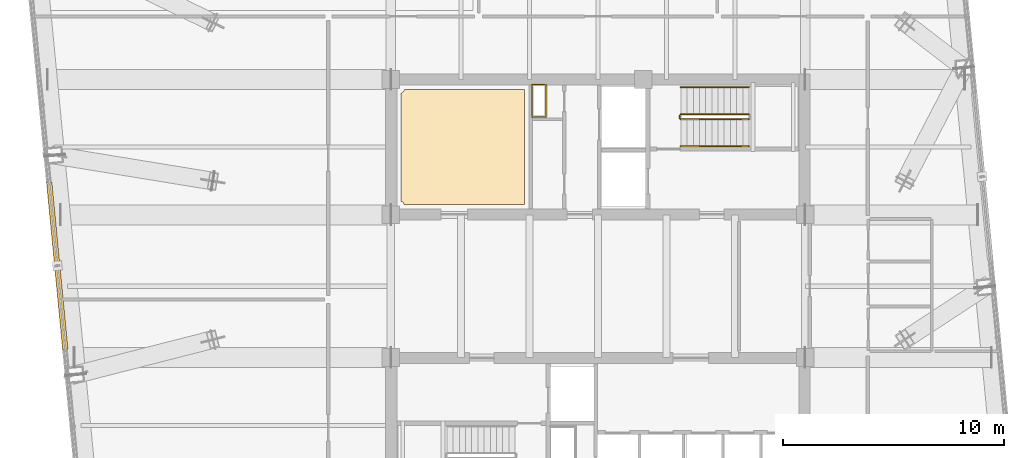
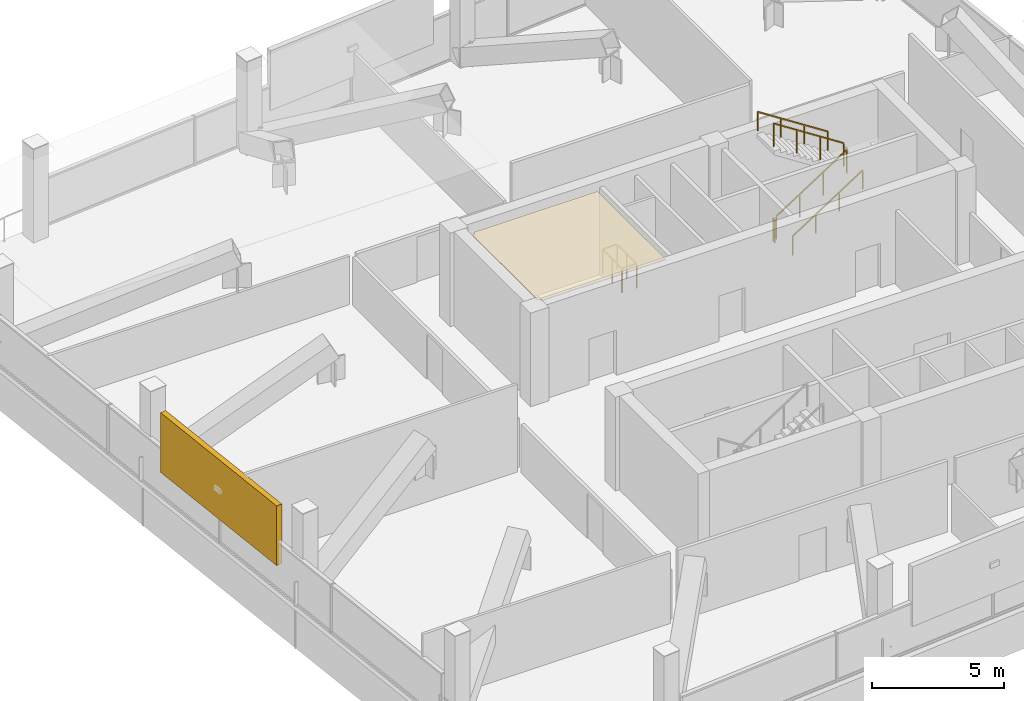
# One storey, part 20 of 22: 6 railings, 1 covering, 1 shading device.
"""IFC4 building model written with IfcOpenShell, lengths in metres."""

from ifc_helpers import new_model, si_unit, direction, frame, origin, origin_2d, place, context, subcontext, project, spatial, polyline, rectangle, outline, extrude, material, layer, layer_set, type_object, element, save


model = new_model("IFC4")

# Units and contexts
model_context = context("Model", 3, precision=1e-05, world=origin(), true_north=direction((0.0, 1.0)))
body_context = subcontext(model_context, "Body", "Model", "MODEL_VIEW")
ifc_project = project(units=[si_unit("LENGTHUNIT", "METRE"), si_unit("AREAUNIT", "SQUARE_METRE"), si_unit("VOLUMEUNIT", "CUBIC_METRE"), si_unit("PLANEANGLEUNIT", "RADIAN"), si_unit("MASSUNIT", "GRAM", prefix="KILO")], contexts=[model_context])

# Site, building, storey
site_placement = place(None, origin())
site = spatial("IfcSite", under=ifc_project, at=site_placement, CompositionType="ELEMENT")
building_placement = place(site_placement, origin())
building = spatial("IfcBuilding", under=site, at=building_placement, Name="Qhalaya Broadcast Tower", CompositionType="ELEMENT")
storey_placement = place(building_placement, frame((0.0, 0.0, 183.60009765625)))
storey = spatial("IfcBuildingStorey", under=building, at=storey_placement, Name="L54", CompositionType="ELEMENT", Elevation=183.60009765625)

# Covering
ifc_material_1 = material(Name="Acoustic Mineral-Fibre Ceiling")
ifc_layer = layer(ifc_material_1, 0.0400390625, Name="Acoustic Mineral-Fibre Ceiling")
ifc_layer_set = layer_set([ifc_layer], Name="Acoustic Mineral-Fibre Ceiling")
covering_type = type_object("IfcCoveringType", Name="Acoustic Mineral-Fibre Suspended Ceiling CLG-01", PredefinedType="CEILING", material=ifc_layer_set)
covering_placement = place(storey_placement, frame((0.0, 0.0, 4.02978515625)))
element("IfcCovering", 1, at=covering_placement, inside=storey, type_object=covering_type, Name="L54 Acoustic Suspended Ceiling 01", PredefinedType="CEILING", context=body_context, shape_type="SweptSolid", body=[
    extrude(outline(polyline([(-8.89697265625, 9.338623046875), (-8.89990234375, 9.337890625), (-8.89990234375, 4.437255859375), (-8.89697265625, 4.436279296875), (-8.87841796875, 4.4296875), (-8.860595703125, 4.42138671875), (-8.843994140625, 4.411376953125), (-8.828125, 4.399658203125), (-8.813720703125, 4.386474609375), (-8.80029296875, 4.371826171875), (-8.788818359375, 4.356201171875), (-8.778564453125, 4.33935546875), (-8.770263671875, 4.321533203125), (-8.763671875, 4.302978515625), (-8.7626953125, 4.300048828125), (-3.330078125, 4.300048828125), (-3.330078125, 9.5), (-8.757568359375, 9.5), (-8.7587890625, 9.490966796875), (-8.763671875, 9.471923828125), (-8.770263671875, 9.45361328125), (-8.778564453125, 9.435791015625), (-8.788818359375, 9.4189453125), (-8.80029296875, 9.403076171875), (-8.813720703125, 9.388671875), (-8.828125, 9.37548828125), (-8.843994140625, 9.36376953125), (-8.860595703125, 9.353515625), (-8.87841796875, 9.34521484375), (-8.89697265625, 9.338623046875)])), origin(), (0.0, 0.0, 1.0), 0.0400390625),
])

# Railings
ifc_material_2 = material(Name="Powder-Coated Galvanised Steel", Category="steel")
railing_type_1 = type_object("IfcRailingType", Name="Stair Wall Handrail 900", PredefinedType="HANDRAIL", material=ifc_material_2)
railing_1_placement = place(storey_placement, frame((3.75, 6.929931640625, 0.18115234375)))
element("IfcRailing", 2, at=railing_1_placement, inside=storey, type_object=railing_type_1, Name="L54 ST-1 Stair Handrail 1", PredefinedType="HANDRAIL", context=body_context, shape_type="SweptSolid", body=[
    extrude(rectangle(XDim=0.048095703125, YDim=0.048095703125, at=origin_2d()), frame((0.0, 0.0, 0.8759765625), z_axis=(0.839488025565, 0.0, 0.543378187759), x_axis=(0.0, 1.0, 0.0)), (0.0, 0.0, 1.0), 3.6689453125),
    extrude(rectangle(XDim=0.0419921875, YDim=0.0419921875, at=origin_2d()), origin(), (0.0, 0.0, 1.0), 0.849853515625),
    extrude(rectangle(XDim=0.0419921875, YDim=0.0419921875, at=origin_2d()), frame((1.026611328125, 0.0, 0.66455078125)), (0.0, 0.0, 1.0), 0.849853515625),
    extrude(rectangle(XDim=0.0419921875, YDim=0.0419921875, at=origin_2d()), frame((2.053466796875, 0.0, 1.3291015625)), (0.0, 0.0, 1.0), 0.849853515625),
    extrude(rectangle(XDim=0.0419921875, YDim=0.0419921875, at=origin_2d()), frame((3.080078125, 0.0, 1.99365234375)), (0.0, 0.0, 1.0), 0.849853515625),
])
railing_2_placement = place(storey_placement, frame((6.830078125, 9.590087890625, 2.356201171875)))
element("IfcRailing", 3, at=railing_2_placement, inside=storey, type_object=railing_type_1, Name="L54 ST-1 Stair Handrail 2", PredefinedType="HANDRAIL", context=body_context, shape_type="SweptSolid", body=[
    extrude(rectangle(XDim=0.048095703125, YDim=0.048095703125, at=origin_2d()), frame((0.0, 0.0, 0.8759765625), z_axis=(-0.839488025565, 0.0, 0.543378187759), x_axis=(0.0, -1.0, 0.0)), (0.0, 0.0, 1.0), 3.6689453125),
    extrude(rectangle(XDim=0.0419921875, YDim=0.0419921875, at=origin_2d()), origin(), (0.0, 0.0, 1.0), 0.849853515625),
    extrude(rectangle(XDim=0.0419921875, YDim=0.0419921875, at=origin_2d()), frame((-1.026611328125, 0.0, 0.66455078125)), (0.0, 0.0, 1.0), 0.849853515625),
    extrude(rectangle(XDim=0.0419921875, YDim=0.0419921875, at=origin_2d()), frame((-2.053466796875, 0.0, 1.3291015625)), (0.0, 0.0, 1.0), 0.849853515625),
    extrude(rectangle(XDim=0.0419921875, YDim=0.0419921875, at=origin_2d()), frame((-3.080078125, 0.0, 1.99365234375)), (0.0, 0.0, 1.0), 0.849853515625),
])
railing_type_2 = type_object("IfcRailingType", Name="Stair Well & Landing Guardrail 1100", PredefinedType="GUARDRAIL", material=ifc_material_2)
railing_3_placement = place(storey_placement, frame((-2.340087890625, 8.239990234375, 0.0)))
element("IfcRailing", 4, at=railing_3_placement, inside=storey, type_object=railing_type_2, Name="L54 Service Riser Opening Safety Guard NRSR", PredefinedType="GUARDRAIL", context=body_context, shape_type="SweptSolid", body=[
    extrude(rectangle(XDim=0.048095703125, YDim=0.048095703125, at=origin_2d()), frame((0.0, 0.02880859375, 1.1259765625), z_axis=(0.0, 1.0, 0.0), x_axis=(-1.0, 0.0, 0.0)), (0.0, 0.0, 1.0), 1.42236328125),
    extrude(rectangle(XDim=0.048095703125, YDim=0.048095703125, at=origin_2d()), frame((-0.02880859375, 1.47998046875, 1.1259765625), z_axis=(-1.0, 0.0, 0.0), x_axis=(0.0, -1.0, 0.0)), (0.0, 0.0, 1.0), 0.582275390625),
    extrude(rectangle(XDim=0.048095703125, YDim=0.048095703125, at=origin_2d()), frame((-0.639892578125, 1.451171875, 1.1259765625), z_axis=(0.0, -1.0, 0.0), x_axis=(1.0, 0.0, 0.0)), (0.0, 0.0, 1.0), 1.42236328125),
    extrude(rectangle(XDim=0.048095703125, YDim=0.048095703125, at=origin_2d()), frame((-0.611083984375, 0.0, 1.1259765625), z_axis=(1.0, 0.0, 0.0), x_axis=(0.0, 1.0, 0.0)), (0.0, 0.0, 1.0), 0.582275390625),
    extrude(rectangle(XDim=0.0419921875, YDim=0.0419921875, at=origin_2d()), origin(), (0.0, 0.0, 1.0), 1.099853515625),
    extrude(rectangle(XDim=0.0419921875, YDim=0.0419921875, at=origin_2d()), frame((0.0, 0.739990234375, 0.0)), (0.0, 0.0, 1.0), 1.099853515625),
    extrude(rectangle(XDim=0.0419921875, YDim=0.0419921875, at=origin_2d()), frame((0.0, 1.47998046875, 0.0)), (0.0, 0.0, 1.0), 1.099853515625),
    extrude(rectangle(XDim=0.0419921875, YDim=0.0419921875, at=origin_2d()), frame((-0.639892578125, 1.47998046875, 0.0)), (0.0, 0.0, 1.0), 1.099853515625),
    extrude(rectangle(XDim=0.0419921875, YDim=0.0419921875, at=origin_2d()), frame((-0.639892578125, 0.739990234375, 0.0)), (0.0, 0.0, 1.0), 1.099853515625),
    extrude(rectangle(XDim=0.0419921875, YDim=0.0419921875, at=origin_2d()), frame((-0.639892578125, 0.0, 0.0)), (0.0, 0.0, 1.0), 1.099853515625),
])
railing_4_placement = place(storey_placement, frame((3.75, 8.14990234375, 0.18115234375)))
element("IfcRailing", 5, at=railing_4_placement, inside=storey, type_object=railing_type_2, Name="L54 ST-1 Stair Guard 1", PredefinedType="GUARDRAIL", context=body_context, shape_type="SweptSolid", body=[
    extrude(rectangle(XDim=0.048095703125, YDim=0.048095703125, at=origin_2d()), frame((0.0, 0.0, 1.076171875), z_axis=(0.839488025565, 0.0, 0.543378187759), x_axis=(0.0, 1.0, 0.0)), (0.0, 0.0, 1.0), 3.6689453125),
    extrude(rectangle(XDim=0.0419921875, YDim=0.0419921875, at=origin_2d()), origin(), (0.0, 0.0, 1.0), 1.050048828125),
    extrude(rectangle(XDim=0.0419921875, YDim=0.0419921875, at=origin_2d()), frame((1.026611328125, 0.0, 0.66455078125)), (0.0, 0.0, 1.0), 1.050048828125),
    extrude(rectangle(XDim=0.0419921875, YDim=0.0419921875, at=origin_2d()), frame((2.053466796875, 0.0, 1.3291015625)), (0.0, 0.0, 1.0), 1.050048828125),
    extrude(rectangle(XDim=0.0419921875, YDim=0.0419921875, at=origin_2d()), frame((3.080078125, 0.0, 1.99365234375)), (0.0, 0.0, 1.0), 1.050048828125),
])
railing_5_placement = place(storey_placement, frame((6.830078125, 8.3701171875, 2.356201171875)))
element("IfcRailing", 6, at=railing_5_placement, inside=storey, type_object=railing_type_2, Name="L54 ST-1 Stair Guard 3", PredefinedType="GUARDRAIL", context=body_context, shape_type="SweptSolid", body=[
    extrude(rectangle(XDim=0.048095703125, YDim=0.048095703125, at=origin_2d()), frame((0.0, 0.0, 1.076171875), z_axis=(-0.839488025565, 0.0, 0.543378187759), x_axis=(0.0, -1.0, 0.0)), (0.0, 0.0, 1.0), 3.6689453125),
    extrude(rectangle(XDim=0.0419921875, YDim=0.0419921875, at=origin_2d()), origin(), (0.0, 0.0, 1.0), 1.050048828125),
    extrude(rectangle(XDim=0.0419921875, YDim=0.0419921875, at=origin_2d()), frame((-1.026611328125, 0.0, 0.66455078125)), (0.0, 0.0, 1.0), 1.050048828125),
    extrude(rectangle(XDim=0.0419921875, YDim=0.0419921875, at=origin_2d()), frame((-2.053466796875, 0.0, 1.3291015625)), (0.0, 0.0, 1.0), 1.050048828125),
    extrude(rectangle(XDim=0.0419921875, YDim=0.0419921875, at=origin_2d()), frame((-3.080078125, 0.0, 1.99365234375)), (0.0, 0.0, 1.0), 1.050048828125),
])
railing_6_placement = place(storey_placement, frame((3.699951171875, 8.199951171875, 0.0)))
element("IfcRailing", 7, at=railing_6_placement, inside=storey, type_object=railing_type_2, Name="L54 ST-1 Stair Guard 4", PredefinedType="GUARDRAIL", context=body_context, shape_type="SweptSolid", body=[
    extrude(rectangle(XDim=0.048095703125, YDim=0.048095703125, at=origin_2d()), frame((0.0, 0.0, 1.076171875), z_axis=(0.0, 1.0, 0.0), x_axis=(-1.0, 0.0, 0.0)), (0.0, 0.0, 1.0), 0.1201171875),
    extrude(rectangle(XDim=0.0419921875, YDim=0.0419921875, at=origin_2d()), origin(), (0.0, 0.0, 1.0), 1.050048828125),
    extrude(rectangle(XDim=0.0419921875, YDim=0.0419921875, at=origin_2d()), frame((0.0, 0.1201171875, 0.0)), (0.0, 0.0, 1.0), 1.050048828125),
])

# Shading device
ifc_material_3 = material(Name="Fired Architectural Terracotta", Category="masonry")
shading_device_type = type_object("IfcShadingDeviceType", Name="Terracotta Baguette Solar Screen Assembly TBS-01", PredefinedType="USERDEFINED", material=ifc_material_3)
shading_device_placement = place(storey_placement, frame((-24.453369140625, 1.5263671875, 1.13916015625), z_axis=(0.0, 0.0, 1.0), x_axis=(0.09584575252, -0.995396198367, 0.0)))
element("IfcShadingDevice", 8, at=shading_device_placement, inside=storey, type_object=shading_device_type, Name="L54 Fired Terracotta Baguette Screen W", ObjectType="BAGUETTE", PredefinedType="USERDEFINED", context=body_context, shape_type="SweptSolid", body=[
    extrude(rectangle(XDim=7.60009765625, YDim=0.239990234375, at=origin_2d()), origin(), (0.0, 0.0, 1.0), 2.76806640625),
])

save(model, "model.ifc")
